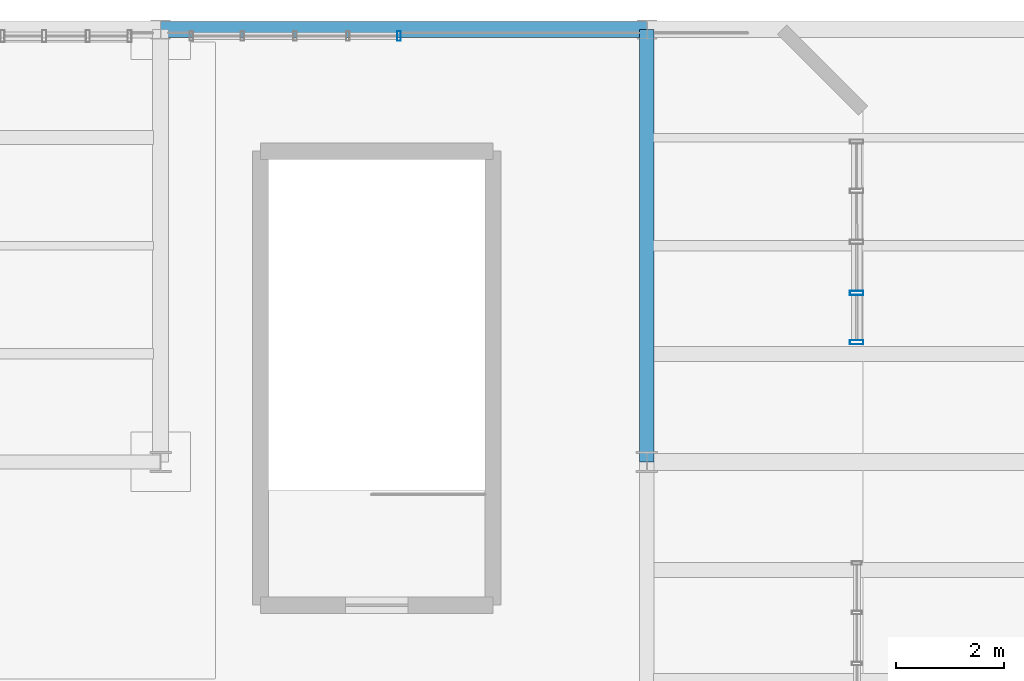
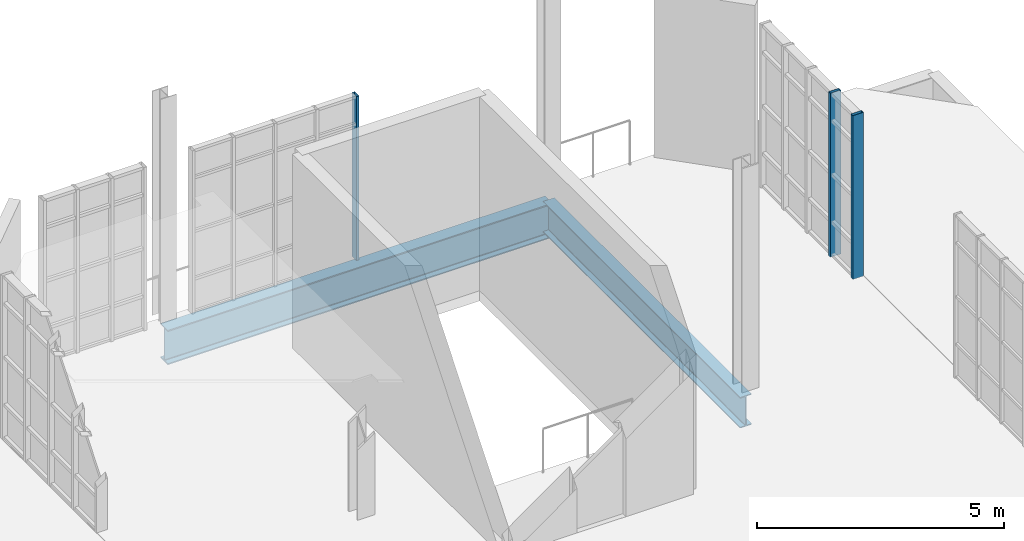
# One storey, part 21 of 36: 3 members, 2 beams, 2 elements without a shape of their own.
"""IFC4 building model written with IfcOpenShell, lengths in metres."""

from ifc_helpers import new_model, si_unit, direction, frame, origin, origin_2d, place, context, subcontext, project, spatial, hollow_rectangle, i_section, extrude, material, layer, layer_set, material_profile, profile_set, type_object, element, aggregate, save


model = new_model("IFC4")

# Units and contexts
model_context = context("Model", 3, precision=1e-05, world=origin(), true_north=direction((0.0, 1.0)))
body_context = subcontext(model_context, "Body", "Model", "MODEL_VIEW")
ifc_project = project(units=[si_unit("LENGTHUNIT", "METRE"), si_unit("AREAUNIT", "SQUARE_METRE"), si_unit("VOLUMEUNIT", "CUBIC_METRE"), si_unit("PLANEANGLEUNIT", "RADIAN"), si_unit("MASSUNIT", "GRAM", prefix="KILO"), si_unit("THERMODYNAMICTEMPERATUREUNIT", "KELVIN"), si_unit("POWERUNIT", "WATT")], contexts=[model_context])

# Site, building, storey
site_placement = place(None, origin())
site = spatial("IfcSite", under=ifc_project, at=site_placement, CompositionType="ELEMENT")
building_placement = place(site_placement, origin())
building = spatial("IfcBuilding", under=site, at=building_placement, Name="Zelmaris Science Centre", CompositionType="ELEMENT")
storey_placement = place(building_placement, frame((0.0, 0.0, 25.199951171875)))
storey = spatial("IfcBuildingStorey", under=building, at=storey_placement, Name="L05", CompositionType="ELEMENT", Elevation=25.199951171875)

# Curtain wall, member
ifc_material_1 = material(Name="Anodised architectural aluminium 6063-T6", Category="aluminium")
ifc_layer_1 = layer(ifc_material_1, 0.2099609375, Name="Anodised architectural aluminium 6063-T6")
ifc_layer_set_1 = layer_set([ifc_layer_1], Name="Anodised architectural aluminium 6063-T6")
curtain_wall_type_1 = type_object("IfcCurtainWallType", Name="Curtain Wall CW-03", PredefinedType="USERDEFINED", material=ifc_layer_set_1)
curtain_wall_1_placement = place(storey_placement, origin())
curtain_wall_1 = element("IfcCurtainWall", 1, at=curtain_wall_1_placement, inside=storey, type_object=curtain_wall_type_1, Name="L05 Unitised curtain wall 359", ObjectType="GLAZED CURTAIN WALL", PredefinedType="USERDEFINED")
ifc_material_profile_1 = material_profile(ifc_material_1, hollow_rectangle(XDim=0.06494140625, YDim=0.179931640625, WallThickness=0.00390625, at=origin_2d()), Name="ALU-MUL-65X180")
ifc_profile_set_1 = profile_set([ifc_material_profile_1], Name="Anodised architectural aluminium 6063-T6")
member_type_1 = type_object("IfcMemberType", Name="ALU-MUL-65X180", PredefinedType="MULLION", material=ifc_profile_set_1)
member_1_placement = place(storey_placement, frame((67.41162109375, 87.8798828125, -0.014892578125), z_axis=(0.0, 0.0, 1.0), x_axis=(0.999999999986, -5.235988e-06, 0.0)))
member_1 = element("IfcMember", 2, at=member_1_placement, type_object=member_type_1, Name="CW-03 mullion 5", PredefinedType="MULLION", context=body_context, shape_type="SweptSolid", body=[
    extrude(hollow_rectangle(XDim=0.06494140625, YDim=0.179931640625, WallThickness=0.00390625, at=origin_2d()), origin(), (0.0, 0.0, 1.0), 4.054931640625),
])
aggregate(curtain_wall_1, [member_1])

# Curtain wall, members
ifc_layer_2 = layer(ifc_material_1, 0.18994140625, Name="Anodised architectural aluminium 6063-T6")
ifc_layer_set_2 = layer_set([ifc_layer_2], Name="Anodised architectural aluminium 6063-T6")
curtain_wall_type_2 = type_object("IfcCurtainWallType", Name="Curtain Wall CW-01", PredefinedType="USERDEFINED", material=ifc_layer_set_2)
curtain_wall_2_placement = place(storey_placement, origin())
curtain_wall_2 = element("IfcCurtainWall", 3, at=curtain_wall_2_placement, inside=storey, type_object=curtain_wall_type_2, Name="L05 Unitised curtain wall 361", ObjectType="GLAZED CURTAIN WALL", PredefinedType="USERDEFINED")
ifc_material_profile_2 = material_profile(ifc_material_1, hollow_rectangle(XDim=0.080078125, YDim=0.25, WallThickness=0.0048828125, at=origin_2d()), Name="ALU-MUL-80X250")
ifc_profile_set_2 = profile_set([ifc_material_profile_2], Name="Anodised architectural aluminium 6063-T6")
member_type_2 = type_object("IfcMemberType", Name="ALU-MUL-80X250", PredefinedType="MULLION", material=ifc_profile_set_2)
member_2_placement = place(storey_placement, frame((75.88037109375, 83.124755859375, -0.014892578125), z_axis=(0.0, 0.0, 1.0), x_axis=(0.00039618973, -0.999999921517, 0.0)))
member_2 = element("IfcMember", 4, at=member_2_placement, type_object=member_type_2, Name="CW-01 mullion 4", PredefinedType="MULLION", context=body_context, shape_type="SweptSolid", body=[
    extrude(hollow_rectangle(XDim=0.080078125, YDim=0.25, WallThickness=0.0048828125, at=origin_2d()), origin(), (0.0, 0.0, 1.0), 4.054931640625),
])
member_3_placement = place(storey_placement, frame((75.880615234375, 82.215087890625, -0.014892578125), z_axis=(0.0, 0.0, 1.0), x_axis=(0.00039618973, -0.999999921517, 0.0)))
member_3 = element("IfcMember", 5, at=member_3_placement, type_object=member_type_2, Name="CW-01 mullion 5", PredefinedType="MULLION", context=body_context, shape_type="SweptSolid", body=[
    extrude(hollow_rectangle(XDim=0.080078125, YDim=0.25, WallThickness=0.0048828125, at=origin_2d()), origin(), (0.0, 0.0, 1.0), 4.054931640625),
])
aggregate(curtain_wall_2, [member_2, member_3])

# Beams
ifc_material_2 = material(Name="Steel ASTM A992 Grade 50", Category="steel")
ifc_material_profile_3 = material_profile(ifc_material_2, i_section(OverallWidth=0.294921875, OverallDepth=0.85107421875, WebThickness=0.01611328125, FlangeThickness=0.02685546875, FilletRadius=0.02001953125, at=origin_2d()), Name="W33X152")
ifc_profile_set_3 = profile_set([ifc_material_profile_3], Name="Steel ASTM A992 Grade 50")
beam_type_1 = type_object("IfcBeamType", Name="Beam G-06 W33X152", PredefinedType="BEAM", material=ifc_profile_set_3)
beam_1_placement = place(storey_placement, frame((63.0, 88.0, -0.675537109375), z_axis=(1.0, 0.0, 0.0), x_axis=(0.0, 1.0, 0.0)))
element("IfcBeam", 6, at=beam_1_placement, inside=storey, type_object=beam_type_1, Name="L05 East-west girder 932", PredefinedType="BEAM", context=body_context, shape_type="SweptSolid", body=[
    extrude(i_section(OverallWidth=0.294921875, OverallDepth=0.85107421875, WebThickness=0.01611328125, FlangeThickness=0.02685546875, FilletRadius=0.02001953125, at=origin_2d()), origin(), (0.0, 0.0, 1.0), 9.0),
])
ifc_material_profile_4 = material_profile(ifc_material_2, i_section(OverallWidth=0.26708984375, OverallDepth=0.761962890625, WebThickness=0.014404296875, FlangeThickness=0.021484375, FilletRadius=0.01904296875, at=origin_2d()), Name="W30X116")
ifc_profile_set_4 = profile_set([ifc_material_profile_4], Name="Steel ASTM A992 Grade 50")
beam_type_2 = type_object("IfcBeamType", Name="Beam G-33 W30X116", PredefinedType="BEAM", material=ifc_profile_set_4)
beam_2_placement = place(storey_placement, frame((72.0, 80.0, -0.630859375), z_axis=(0.0, 1.0, 0.0), x_axis=(-1.0, 0.0, 0.0)))
element("IfcBeam", 7, at=beam_2_placement, inside=storey, type_object=beam_type_2, Name="L05 North-south girder 921", PredefinedType="BEAM", context=body_context, shape_type="SweptSolid", body=[
    extrude(i_section(OverallWidth=0.26708984375, OverallDepth=0.761962890625, WebThickness=0.014404296875, FlangeThickness=0.021484375, FilletRadius=0.01904296875, at=origin_2d()), origin(), (0.0, 0.0, 1.0), 8.0),
])

save(model, "model.ifc")
